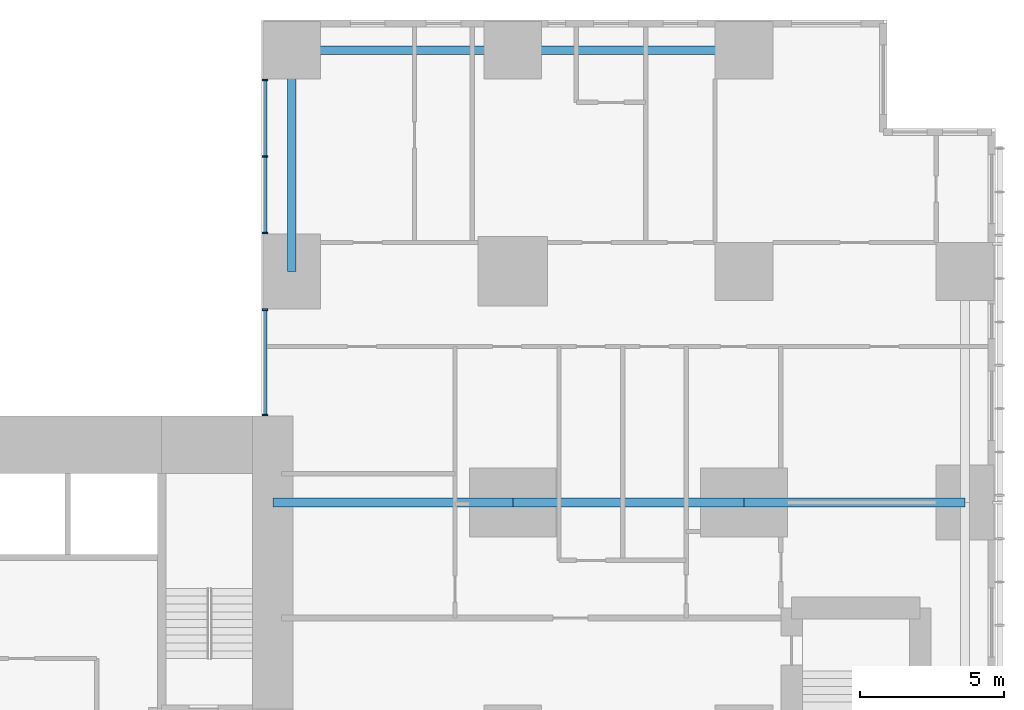
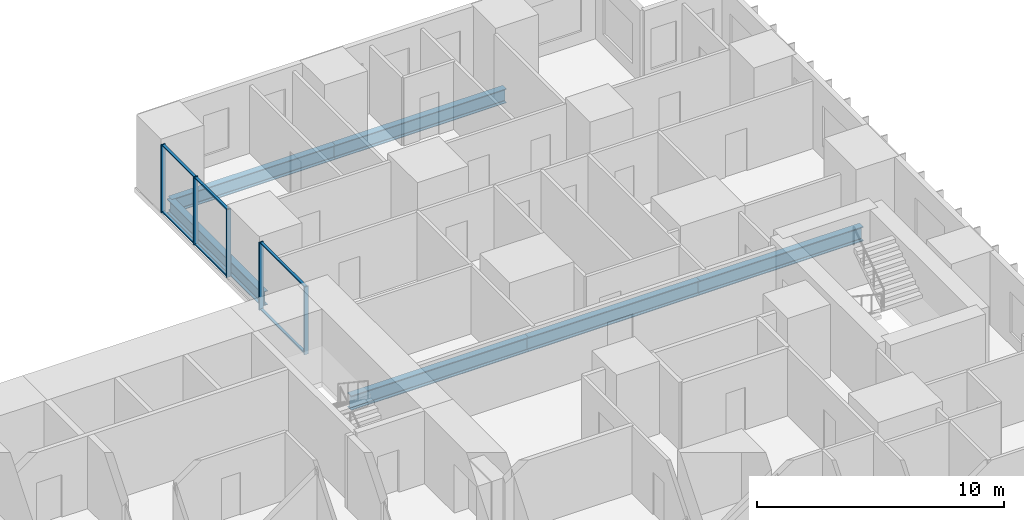
# One storey, part 5 of 20: 11 members, 6 beams, 2 elements without a shape of their own.
"""IFC4 building model written with IfcOpenShell, lengths in metres."""

from ifc_helpers import new_model, si_unit, direction, frame, origin, origin_2d, place, context, subcontext, project, spatial, rectangle, i_section, extrude, material, layer, layer_set, material_profile, profile_set, type_object, element, aggregate, save


model = new_model("IFC4")

# Units and contexts
model_context = context("Model", 3, precision=1e-05, world=origin(), true_north=direction((0.0, 1.0)))
body_context = subcontext(model_context, "Body", "Model", "MODEL_VIEW")
ifc_project = project(units=[si_unit("LENGTHUNIT", "METRE"), si_unit("AREAUNIT", "SQUARE_METRE"), si_unit("VOLUMEUNIT", "CUBIC_METRE"), si_unit("PLANEANGLEUNIT", "RADIAN"), si_unit("MASSUNIT", "GRAM", prefix="KILO")], contexts=[model_context])

# Site, building, storey
site_placement = place(None, origin())
site = spatial("IfcSite", under=ifc_project, at=site_placement, CompositionType="ELEMENT")
building_placement = place(site_placement, origin())
building = spatial("IfcBuilding", under=site, at=building_placement, Name="Cleftline Residences", CompositionType="ELEMENT")
storey_placement = place(building_placement, frame((0.0, 0.0, 40.39990234375)))
storey = spatial("IfcBuildingStorey", under=building, at=storey_placement, Name="L09", CompositionType="ELEMENT", Elevation=40.39990234375)

# Beams
ifc_material_1 = material(Name="Steel S355", Category="steel")
ifc_material_profile_1 = material_profile(ifc_material_1, i_section(OverallWidth=0.300048828125, OverallDepth=0.699951171875, WebThickness=0.01708984375, FlangeThickness=0.031982421875, FilletRadius=0.027099609375, at=origin_2d()))
ifc_profile_set_1 = profile_set([ifc_material_profile_1], Name="Steel S355")
beam_type_1 = type_object("IfcBeamType", Name="BEAM HEB 700", PredefinedType="BEAM", material=ifc_profile_set_1)
beam_1_placement = place(storey_placement, frame((58.0, 47.64990234375, -0.599853515625), z_axis=(-1.0, 0.0, 0.0), x_axis=(0.0, -1.0, 0.0)))
element("IfcBeam", 1, at=beam_1_placement, inside=storey, type_object=beam_type_1, Name="Edge beam", PredefinedType="BEAM", context=body_context, shape_type="SweptSolid", body=[
    extrude(i_section(OverallWidth=0.300048828125, OverallDepth=0.699951171875, WebThickness=0.01708984375, FlangeThickness=0.031982421875, FilletRadius=0.027099609375, at=origin_2d()), origin(), (0.0, 0.0, 1.0), 8.0),
])
for number, where, z_axis, x_axis, name in (
    (2, (50.0, 47.64990234375, -0.599853515625), (-1.0, 0.0, 0.0), (0.0, -1.0, 0.0), "Edge beam"),
    (3, (42.35009765625, 47.64990234375, -0.599853515625), (0.0, -1.0, 0.0), (1.0, 0.0, 0.0), "Edge beam"),
):
    element("IfcBeam", number, at=place(storey_placement, frame(where, z_axis=z_axis, x_axis=x_axis)), inside=storey, type_object=beam_type_1, Name=name, PredefinedType="BEAM", context=body_context, shape_type="SweptSolid", body=[
        extrude(i_section(OverallWidth=0.300048828125, OverallDepth=0.699951171875, WebThickness=0.01708984375, FlangeThickness=0.031982421875, FilletRadius=0.027099609375, at=origin_2d()), origin(), (0.0, 0.0, 1.0), 7.64990234375),
    ])
ifc_material_2 = material(Name="Steel S355", Category="steel")
ifc_material_profile_2 = material_profile(ifc_material_2, i_section(OverallWidth=0.303955078125, OverallDepth=0.716064453125, WebThickness=0.02099609375, FlangeThickness=0.0400390625, FilletRadius=0.027099609375, at=origin_2d()))
ifc_profile_set_2 = profile_set([ifc_material_profile_2], Name="Steel S355")
beam_type_2 = type_object("IfcBeamType", Name="BEAM HEM 700", PredefinedType="BEAM", material=ifc_profile_set_2)
beam_2_placement = place(storey_placement, frame((65.64990234375, 32.0, -0.60791015625), z_axis=(-1.0, 0.0, 0.0), x_axis=(0.0, -1.0, 0.0)))
element("IfcBeam", 4, at=beam_2_placement, inside=storey, type_object=beam_type_2, Name="Band beam", PredefinedType="BEAM", context=body_context, shape_type="SweptSolid", body=[
    extrude(i_section(OverallWidth=0.303955078125, OverallDepth=0.716064453125, WebThickness=0.02099609375, FlangeThickness=0.0400390625, FilletRadius=0.027099609375, at=origin_2d()), origin(), (0.0, 0.0, 1.0), 7.64990234375),
])
beam_3_placement = place(storey_placement, frame((58.0, 32.0, -0.60791015625), z_axis=(-1.0, 0.0, 0.0), x_axis=(0.0, -1.0, 0.0)))
element("IfcBeam", 5, at=beam_3_placement, inside=storey, type_object=beam_type_2, Name="Band beam", PredefinedType="BEAM", context=body_context, shape_type="SweptSolid", body=[
    extrude(i_section(OverallWidth=0.303955078125, OverallDepth=0.716064453125, WebThickness=0.02099609375, FlangeThickness=0.0400390625, FilletRadius=0.027099609375, at=origin_2d()), origin(), (0.0, 0.0, 1.0), 8.0),
])
beam_4_placement = place(storey_placement, frame((50.0, 32.0, -0.60791015625), z_axis=(-1.0, 0.0, 0.0), x_axis=(0.0, -1.0, 0.0)))
element("IfcBeam", 6, at=beam_4_placement, inside=storey, type_object=beam_type_2, Name="Band beam", PredefinedType="BEAM", context=body_context, shape_type="SweptSolid", body=[
    extrude(i_section(OverallWidth=0.303955078125, OverallDepth=0.716064453125, WebThickness=0.02099609375, FlangeThickness=0.0400390625, FilletRadius=0.027099609375, at=origin_2d()), origin(), (0.0, 0.0, 1.0), 8.300048828125),
])

# Curtain wall, members
ifc_material_3 = material(Name="Aluminium framed curtain wall", Category="aluminium")
ifc_layer = layer(ifc_material_3, 0.199951171875)
ifc_layer_set = layer_set([ifc_layer], Name="CW1 CLEFT GLAZING")
curtain_wall_type = type_object("IfcCurtainWallType", Name="CW1 CLEFT GLAZING", PredefinedType="NOTDEFINED", material=ifc_layer_set)
curtain_wall_1_placement = place(storey_placement, origin())
curtain_wall_1 = element("IfcCurtainWall", 7, at=curtain_wall_1_placement, inside=storey, type_object=curtain_wall_type, Name="Curtain wall CW1", PredefinedType="NOTDEFINED")
ifc_material_4 = material(Name="Aluminium mullion", Category="aluminium")
ifc_material_profile_3 = material_profile(ifc_material_4, rectangle(XDim=0.199951171875, YDim=0.06005859375, at=origin_2d()))
ifc_profile_set_3 = profile_set([ifc_material_profile_3], Name="Aluminium mullion")
member_type_1 = type_object("IfcMemberType", Name="CW1 MULLION", PredefinedType="MULLION", material=ifc_profile_set_3)
member_1_placement = place(storey_placement, frame((41.425048828125, 46.6201171875, 0.0), z_axis=(0.0, 0.0, 1.0), x_axis=(1.0, 0.0, 0.0)))
member_1 = element("IfcMember", 8, at=member_1_placement, type_object=member_type_1, Name="CW1 mullion 1", PredefinedType="MULLION", context=body_context, shape_type="SweptSolid", body=[
    extrude(rectangle(XDim=0.199951171875, YDim=0.06005859375, at=origin_2d()), origin(), (0.0, 0.0, 1.0), 3.35009765625),
])
member_2_placement = place(storey_placement, frame((41.425048828125, 43.97509765625, 0.0), z_axis=(0.0, 0.0, 1.0), x_axis=(1.0, 0.0, 0.0)))
member_2 = element("IfcMember", 9, at=member_2_placement, type_object=member_type_1, Name="CW1 mullion 2", PredefinedType="MULLION", context=body_context, shape_type="SweptSolid", body=[
    extrude(rectangle(XDim=0.199951171875, YDim=0.06005859375, at=origin_2d()), origin(), (0.0, 0.0, 1.0), 3.35009765625),
])
member_3_placement = place(storey_placement, frame((41.425048828125, 41.330078125, 0.0), z_axis=(0.0, 0.0, 1.0), x_axis=(1.0, 0.0, 0.0)))
member_3 = element("IfcMember", 10, at=member_3_placement, type_object=member_type_1, Name="CW1 mullion 3", PredefinedType="MULLION", context=body_context, shape_type="SweptSolid", body=[
    extrude(rectangle(XDim=0.199951171875, YDim=0.06005859375, at=origin_2d()), origin(), (0.0, 0.0, 1.0), 3.35009765625),
])

curtain_wall_2_placement = place(storey_placement, origin())
curtain_wall_2 = element("IfcCurtainWall", 11, at=curtain_wall_2_placement, inside=storey, type_object=curtain_wall_type, Name="Curtain wall CW1", PredefinedType="NOTDEFINED")
member_4_placement = place(storey_placement, frame((41.425048828125, 38.669921875, 0.0), z_axis=(0.0, 0.0, 1.0), x_axis=(1.0, 0.0, 0.0)))
member_4 = element("IfcMember", 12, at=member_4_placement, type_object=member_type_1, Name="CW1 mullion 1", PredefinedType="MULLION", context=body_context, shape_type="SweptSolid", body=[
    extrude(rectangle(XDim=0.199951171875, YDim=0.06005859375, at=origin_2d()), origin(), (0.0, 0.0, 1.0), 3.35009765625),
])
member_5_placement = place(storey_placement, frame((41.425048828125, 35.030029296875, 0.0), z_axis=(0.0, 0.0, 1.0), x_axis=(1.0, 0.0, 0.0)))
member_5 = element("IfcMember", 13, at=member_5_placement, type_object=member_type_1, Name="CW1 mullion 2", PredefinedType="MULLION", context=body_context, shape_type="SweptSolid", body=[
    extrude(rectangle(XDim=0.199951171875, YDim=0.06005859375, at=origin_2d()), origin(), (0.0, 0.0, 1.0), 3.35009765625),
])

# Member
ifc_material_5 = material(Name="Aluminium transom", Category="aluminium")
ifc_material_profile_4 = material_profile(ifc_material_5, rectangle(XDim=0.1201171875, YDim=0.06005859375, at=origin_2d()))
ifc_profile_set_4 = profile_set([ifc_material_profile_4], Name="Aluminium transom")
member_type_2 = type_object("IfcMemberType", Name="CW1 TRANSOM", PredefinedType="USERDEFINED", material=ifc_profile_set_4)
member_6_placement = place(storey_placement, frame((41.425048828125, 46.590087890625, 0.030029296875), z_axis=(0.0, -1.0, 0.0), x_axis=(1.0, 0.0, 0.0)))
member_6 = element("IfcMember", 14, at=member_6_placement, type_object=member_type_2, Name="CW1 transom 1.1", ObjectType="TRANSOM", PredefinedType="USERDEFINED", context=body_context, shape_type="SweptSolid", body=[
    extrude(rectangle(XDim=0.1201171875, YDim=0.06005859375, at=origin_2d()), origin(), (0.0, 0.0, 1.0), 2.585205078125),
])

member_7_placement = place(storey_placement, frame((41.425048828125, 46.590087890625, 3.320068359375), z_axis=(0.0, -1.0, 0.0), x_axis=(1.0, 0.0, 0.0)))
member_7 = element("IfcMember", 15, at=member_7_placement, type_object=member_type_2, Name="CW1 transom 1.2", ObjectType="TRANSOM", PredefinedType="USERDEFINED", context=body_context, shape_type="SweptSolid", body=[
    extrude(rectangle(XDim=0.1201171875, YDim=0.06005859375, at=origin_2d()), origin(), (0.0, 0.0, 1.0), 2.585205078125),
])

member_8_placement = place(storey_placement, frame((41.425048828125, 43.945068359375, 0.030029296875), z_axis=(0.0, -1.0, 0.0), x_axis=(1.0, 0.0, 0.0)))
member_8 = element("IfcMember", 16, at=member_8_placement, type_object=member_type_2, Name="CW1 transom 2.1", ObjectType="TRANSOM", PredefinedType="USERDEFINED", context=body_context, shape_type="SweptSolid", body=[
    extrude(rectangle(XDim=0.1201171875, YDim=0.06005859375, at=origin_2d()), origin(), (0.0, 0.0, 1.0), 2.5849609375),
])

member_9_placement = place(storey_placement, frame((41.425048828125, 43.945068359375, 3.320068359375), z_axis=(0.0, -1.0, 0.0), x_axis=(1.0, 0.0, 0.0)))
member_9 = element("IfcMember", 17, at=member_9_placement, type_object=member_type_2, Name="CW1 transom 2.2", ObjectType="TRANSOM", PredefinedType="USERDEFINED", context=body_context, shape_type="SweptSolid", body=[
    extrude(rectangle(XDim=0.1201171875, YDim=0.06005859375, at=origin_2d()), origin(), (0.0, 0.0, 1.0), 2.5849609375),
])

aggregate(curtain_wall_1, [member_1, member_2, member_3, member_6, member_7, member_8, member_9])

member_10_placement = place(storey_placement, frame((41.425048828125, 38.639892578125, 0.030029296875), z_axis=(0.0, -1.0, 0.0), x_axis=(1.0, 0.0, 0.0)))
member_10 = element("IfcMember", 18, at=member_10_placement, type_object=member_type_2, Name="CW1 transom 1.1", ObjectType="TRANSOM", PredefinedType="USERDEFINED", context=body_context, shape_type="SweptSolid", body=[
    extrude(rectangle(XDim=0.1201171875, YDim=0.06005859375, at=origin_2d()), origin(), (0.0, 0.0, 1.0), 3.579833984375),
])

member_11_placement = place(storey_placement, frame((41.425048828125, 38.639892578125, 3.320068359375), z_axis=(0.0, -1.0, 0.0), x_axis=(1.0, 0.0, 0.0)))
member_11 = element("IfcMember", 19, at=member_11_placement, type_object=member_type_2, Name="CW1 transom 1.2", ObjectType="TRANSOM", PredefinedType="USERDEFINED", context=body_context, shape_type="SweptSolid", body=[
    extrude(rectangle(XDim=0.1201171875, YDim=0.06005859375, at=origin_2d()), origin(), (0.0, 0.0, 1.0), 3.579833984375),
])

aggregate(curtain_wall_2, [member_4, member_5, member_10, member_11])

save(model, "model.ifc")
